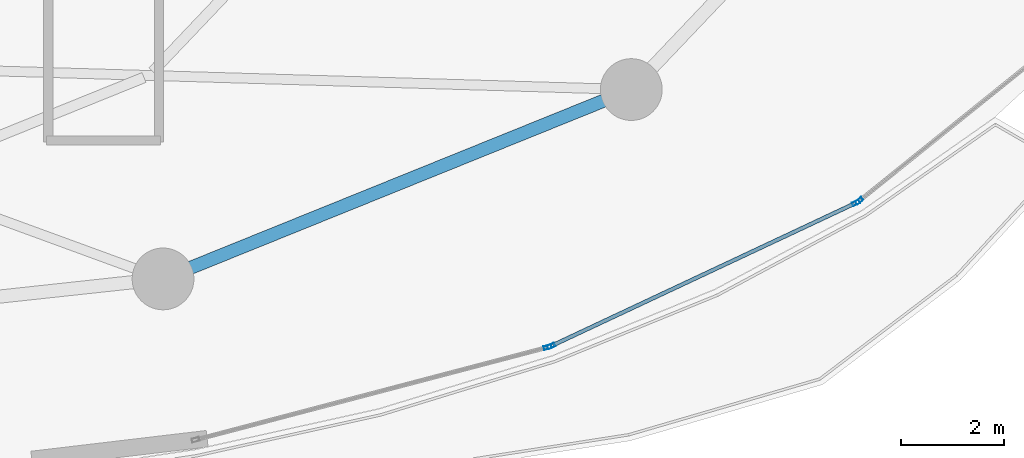
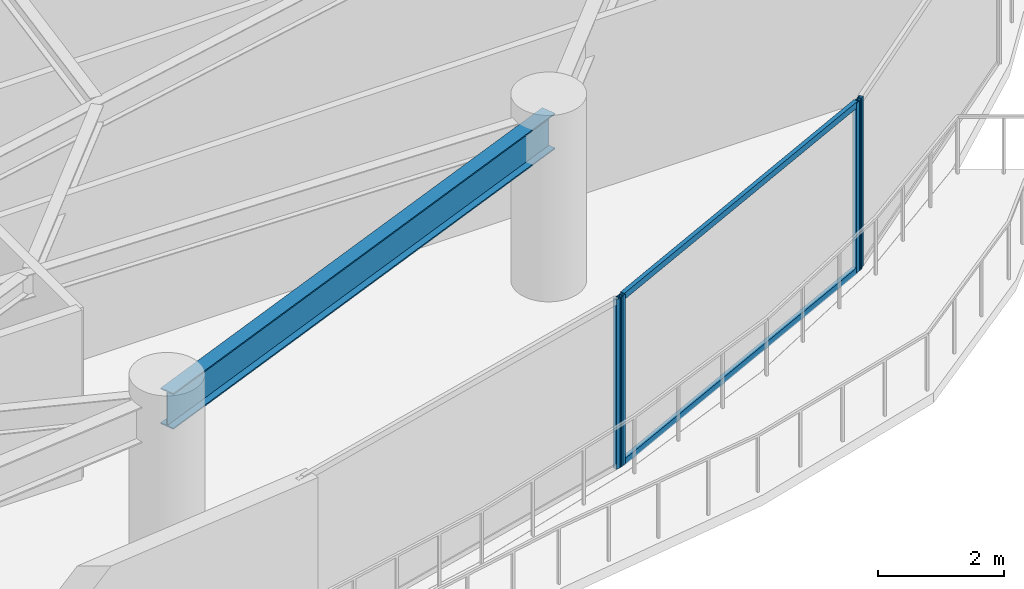
# One storey, part 14 of 33: 6 members, 1 beam, 3 elements without a shape of their own.
"""IFC4 building model written with IfcOpenShell, lengths in metres."""

import ifcopenshell
import ifcopenshell.guid

model = None  # the IFC model being written
_history = None  # IfcOwnerHistory: only IFC2X3 demands one
_inside = {}  # id of a spatial element -> (the spatial element, [elements in it])
_under = {}  # id of a project, library or spatial element -> (it, [spatial elements below it])
_declared = {}  # id of a project -> (the project, [libraries it declares])
_typed = {}  # id of a type object -> (the type object, [elements of that type])
_made_of = {}  # id of a material, layer set ... -> (it, [elements and type objects made of it])


def new_model(schema):
    """Start an empty IFC model of exactly this schema.

    Asked for "IFC4X3", IfcOpenShell would pick the latest addendum, in which some entities
    have other attributes; the version numbers below select the first issue.
    IFC2X3 requires an IfcOwnerHistory on every rooted entity: one is made here for all.
    """
    global model, _history
    if schema == "IFC4X3":
        model = ifcopenshell.file(schema_version=(4, 3, 0, 0))
    else:
        model = ifcopenshell.file(schema=schema)
    _inside.clear()
    _under.clear()
    _declared.clear()
    _typed.clear()
    _made_of.clear()
    _history = None
    if model.schema == "IFC2X3":
        org = make("IfcOrganization", Name="unknown")
        user = make(
            "IfcPersonAndOrganization",
            ThePerson=make("IfcPerson", FamilyName="unknown"),
            TheOrganization=org,
        )
        app = make(
            "IfcApplication",
            ApplicationDeveloper=org,
            Version="unknown",
            ApplicationFullName="unknown",
            ApplicationIdentifier="unknown",
        )
        _history = make(
            "IfcOwnerHistory",
            OwningUser=user,
            OwningApplication=app,
            ChangeAction="ADDED",
            CreationDate=0,
        )
    return model


def make(cls, **values):
    """One entity of the class cls with the attributes given. An attribute that is None is left unset."""
    return model.create_entity(
        cls, **{name: value for name, value in values.items() if value is not None}
    )


def rooted(cls, **values):
    """An entity with a GlobalId (a new one), such as an element, a storey or a relation."""
    return make(cls, GlobalId=ifcopenshell.guid.new(), OwnerHistory=_history, **values)


def si_unit(unit_type, name, prefix=None):
    """IfcSIUnit, for example si_unit("LENGTHUNIT", "METRE", prefix="MILLI")."""
    return make("IfcSIUnit", UnitType=unit_type, Prefix=prefix, Name=name)


def assignment(units):
    """IfcUnitAssignment: the units of a project."""
    return None if units is None else make("IfcUnitAssignment", Units=units)


def point(xyz):
    """IfcCartesianPoint."""
    return None if xyz is None else make("IfcCartesianPoint", Coordinates=xyz)


def direction(xyz):
    """IfcDirection."""
    return None if xyz is None else make("IfcDirection", DirectionRatios=xyz)


def frame(location, z_axis=None, x_axis=None):
    """IfcAxis2Placement3D, a coordinate frame: its origin and axes. An axis left out is left unset."""
    return make(
        "IfcAxis2Placement3D",
        Location=point(location),
        Axis=direction(z_axis),
        RefDirection=direction(x_axis),
    )


def frame_2d(location, x_axis=None):
    """IfcAxis2Placement2D, a coordinate frame in the plane: its origin and x axis."""
    return make(
        "IfcAxis2Placement2D", Location=point(location), RefDirection=direction(x_axis)
    )


def origin():
    """The frame at (0, 0, 0) with its axes left unset."""
    return frame((0.0, 0.0, 0.0))


def origin_2d():
    """The frame at (0, 0) in the plane with its x axis left unset."""
    return frame_2d((0.0, 0.0))


def place(relative_to, where):
    """IfcLocalPlacement: puts the frame where relative to a parent placement (None: the world)."""
    return make(
        "IfcLocalPlacement", PlacementRelTo=relative_to, RelativePlacement=where
    )


def context(
    kind, dimensions, precision=None, world=None, true_north=None, identifier=None
):
    """IfcGeometricRepresentationContext, for example the 3D "Model" context."""
    return make(
        "IfcGeometricRepresentationContext",
        ContextIdentifier=identifier,
        ContextType=kind,
        CoordinateSpaceDimension=dimensions,
        Precision=precision,
        WorldCoordinateSystem=world,
        TrueNorth=true_north,
    )


def subcontext(parent, identifier, kind, view, scale=None):
    """IfcGeometricRepresentationSubContext, for example "Body" below "Model"."""
    return make(
        "IfcGeometricRepresentationSubContext",
        ContextIdentifier=identifier,
        ContextType=kind,
        ParentContext=parent,
        TargetScale=scale,
        TargetView=view,
    )


def project(units=None, contexts=None):
    """IfcProject with its units and contexts."""
    return rooted(
        "IfcProject",
        Name="project",
        RepresentationContexts=contexts,
        UnitsInContext=assignment(units),
    )


def spatial(cls, under=None, at=None, **own):
    """A site, building, storey or space (cls), placed at a placement, below another one or the project."""
    s = rooted(cls, ObjectPlacement=at, **own)
    if under is not None:
        _under.setdefault(under.id(), (under, []))[1].append(s)
    return s


def profile(cls, at=None, kind="AREA", **sizes):
    """A parametric profile (cls). Its sizes go by their IFC names, for example OverallWidth=200.0."""
    return make(cls, ProfileType=kind, Position=at, **sizes)


def hollow_rectangle(**sizes):
    """IfcRectangleHollowProfileDef."""
    return profile("IfcRectangleHollowProfileDef", **sizes)


def i_section(**sizes):
    """IfcIShapeProfileDef."""
    return profile("IfcIShapeProfileDef", **sizes)


def extrude(swept, where, along, depth):
    """IfcExtrudedAreaSolid: the profile swept, set in the frame where, extruded along a direction by depth."""
    return make(
        "IfcExtrudedAreaSolid",
        SweptArea=swept,
        Position=where,
        ExtrudedDirection=direction(along),
        Depth=depth,
    )


def shape(context_of_items, identifier, shape_type, items):
    """IfcShapeRepresentation: the items that make up one representation, for example the "Body"."""
    return make(
        "IfcShapeRepresentation",
        ContextOfItems=context_of_items,
        RepresentationIdentifier=identifier,
        RepresentationType=shape_type,
        Items=items,
    )


def material(Name=None, Category=None):
    """IfcMaterial."""
    return make("IfcMaterial", Name=Name, Category=Category)


def layer(
    of_material, thickness, ventilated=None, Name=None, Category=None, Priority=None
):
    """IfcMaterialLayer: one layer of a wall or slab, of a material (None: an air gap)."""
    return make(
        "IfcMaterialLayer",
        Material=of_material,
        LayerThickness=thickness,
        IsVentilated=ventilated,
        Name=Name,
        Category=Category,
        Priority=Priority,
    )


def layer_set(layers, Name=None):
    """IfcMaterialLayerSet."""
    return make("IfcMaterialLayerSet", MaterialLayers=layers, LayerSetName=Name)


def material_profile(
    of_material, cross_section, Name=None, Category=None, Priority=None
):
    """IfcMaterialProfile: a cross section and its material."""
    return make(
        "IfcMaterialProfile",
        Name=Name,
        Material=of_material,
        Profile=cross_section,
        Priority=Priority,
        Category=Category,
    )


def profile_set(profiles, Name=None, composite=None):
    """IfcMaterialProfileSet."""
    return make(
        "IfcMaterialProfileSet",
        Name=Name,
        MaterialProfiles=profiles,
        CompositeProfile=composite,
    )


def made_of(thing, what):
    """Note that an element or type object is made of a material, layer set ...; save() writes the relation."""
    if what is not None:
        _made_of.setdefault(what.id(), (what, []))[1].append(thing)
    return thing


def type_object(cls, material=None, **own):
    """A type object (cls), such as IfcWallType, which elements share."""
    return made_of(rooted(cls, **own), material)


def element(
    cls,
    number,
    at=None,
    inside=None,
    cuts=None,
    type_object=None,
    material=None,
    context=None,
    identifier="Body",
    shape_type=None,
    held_by="IfcProductDefinitionShape",
    body=None,
    shapes=None,
    **own,
):
    """One element of the class cls, such as IfcWall. Its Tag is "e" and its number.

    at: its placement. inside: the storey or other place that contains it. cuts: it is an
    opening in that element (IfcRelVoidsElement). A single representation is given by context,
    identifier, shape_type and body (its items); several are given by shapes. held_by: the class
    of the entity that holds the representations. save() writes the other relations.
    """
    e = rooted(cls, Tag="e%d" % number, ObjectPlacement=at, **own)
    if body is not None:
        shapes = [shape(context, identifier, shape_type, body)]
    if shapes is not None:
        e.Representation = make(held_by, Representations=shapes)
    if inside is not None:
        _inside.setdefault(inside.id(), (inside, []))[1].append(e)
    if cuts is not None:
        rooted(
            "IfcRelVoidsElement", RelatingBuildingElement=cuts, RelatedOpeningElement=e
        )
    if type_object is not None:
        _typed.setdefault(type_object.id(), (type_object, []))[1].append(e)
    return made_of(e, material)


def aggregate(whole, parts):
    """IfcRelAggregates: a whole, such as a stair, and the parts it consists of."""
    return rooted("IfcRelAggregates", RelatingObject=whole, RelatedObjects=parts)


def save(model, path):
    """Write the relations noted so far, then the file.

    IfcRelAggregates (storeys below a building ...), IfcRelContainedInSpatialStructure (elements
    in a storey), IfcRelDefinesByType, IfcRelAssociatesMaterial and IfcRelDeclares: one each for
    every whole, place, type object, material and project.
    """
    for whole, parts in _under.values():
        aggregate(whole, parts)
    for where, things in _inside.values():
        rooted(
            "IfcRelContainedInSpatialStructure",
            RelatedElements=things,
            RelatingStructure=where,
        )
    for kind, things in _typed.values():
        rooted("IfcRelDefinesByType", RelatedObjects=things, RelatingType=kind)
    for what, things in _made_of.values():
        rooted("IfcRelAssociatesMaterial", RelatedObjects=things, RelatingMaterial=what)
    for by, libraries in _declared.values():
        rooted("IfcRelDeclares", RelatingContext=by, RelatedDefinitions=libraries)
    model.write(path)


model = new_model("IFC4")

# Units and contexts
model_context = context("Model", 3, precision=1e-05, world=origin(), true_north=direction((0.0, 1.0)))
body_context = subcontext(model_context, "Body", "Model", "MODEL_VIEW")
ifc_project = project(units=[si_unit("LENGTHUNIT", "METRE"), si_unit("AREAUNIT", "SQUARE_METRE"), si_unit("VOLUMEUNIT", "CUBIC_METRE"), si_unit("PLANEANGLEUNIT", "RADIAN"), si_unit("MASSUNIT", "GRAM", prefix="KILO")], contexts=[model_context])

# Site, building, storey
site_placement = place(None, origin())
site = spatial("IfcSite", under=ifc_project, at=site_placement, CompositionType="ELEMENT")
building_placement = place(site_placement, origin())
building = spatial("IfcBuilding", under=site, at=building_placement, Name="Kazevale Care Tower and Concert Hall", CompositionType="ELEMENT")
storey_placement = place(building_placement, frame((0.0, 0.0, 178.199951171875)))
storey = spatial("IfcBuildingStorey", under=building, at=storey_placement, Name="L47", CompositionType="ELEMENT", Elevation=178.199951171875)

# Curtain wall, member
ifc_material_1 = material(Name="Aluminium 6063-T6 and Low-E Glass", Category="aluminium")
ifc_layer = layer(ifc_material_1, 0.179931640625)
ifc_layer_set = layer_set([ifc_layer], Name="Aluminium 6063-T6 and Low-E Glass")
curtain_wall_type = type_object("IfcCurtainWallType", Name="Sheltered Concave Balcony Curtain Wall CW-5", PredefinedType="NOTDEFINED", material=ifc_layer_set)
curtain_wall_1_placement = place(storey_placement, origin())
curtain_wall_1 = element("IfcCurtainWall", 1, at=curtain_wall_1_placement, inside=storey, type_object=curtain_wall_type, Name="cw:L47:f02", PredefinedType="NOTDEFINED")
ifc_material_2 = material(Name="Aluminium 6063-T6", Category="aluminium")
ifc_material_profile_1 = material_profile(ifc_material_2, hollow_rectangle(XDim=0.074951171875, YDim=0.14990234375, WallThickness=0.00390625, at=origin_2d()), Name="ALU75x150x4")
ifc_profile_set_1 = profile_set([ifc_material_profile_1], Name="Aluminium 6063-T6")
member_type_1 = type_object("IfcMemberType", Name="CW-5 Mullion ALU75x150x4", PredefinedType="MULLION", material=ifc_profile_set_1)
member_1_placement = place(storey_placement, frame((69.25927734375, 20.826416015625, 0.0), z_axis=(0.0, 0.0, 1.0), x_axis=(0.626905357502, -0.779095419531, 0.0)))
member_1 = element("IfcMember", 2, at=member_1_placement, type_object=member_type_1, Name="CW-5 mullion 2", PredefinedType="MULLION", context=body_context, shape_type="SweptSolid", body=[
    extrude(hollow_rectangle(XDim=0.074951171875, YDim=0.14990234375, WallThickness=0.00390625, at=origin_2d()), origin(), (0.0, 0.0, 1.0), 3.280029296875),
])
aggregate(curtain_wall_1, [member_1])

# Curtain wall, members
curtain_wall_2_placement = place(storey_placement, origin())
curtain_wall_2 = element("IfcCurtainWall", 3, at=curtain_wall_2_placement, inside=storey, type_object=curtain_wall_type, Name="cw:L47:f03", PredefinedType="NOTDEFINED")
member_2_placement = place(storey_placement, frame((69.196044921875, 20.787109375, 0.0), z_axis=(0.0, 0.0, 1.0), x_axis=(0.425010766963, -0.905188294205, 0.0)))
member_2 = element("IfcMember", 4, at=member_2_placement, type_object=member_type_1, Name="CW-5 mullion 1", PredefinedType="MULLION", context=body_context, shape_type="SweptSolid", body=[
    extrude(hollow_rectangle(XDim=0.074951171875, YDim=0.14990234375, WallThickness=0.00390625, at=origin_2d()), origin(), (0.0, 0.0, 1.0), 3.280029296875),
])
member_3_placement = place(storey_placement, frame((63.27490234375, 18.0068359375, 0.0), z_axis=(0.0, 0.0, 1.0), x_axis=(0.425010766963, -0.905188294205, 0.0)))
member_3 = element("IfcMember", 5, at=member_3_placement, type_object=member_type_1, Name="CW-5 mullion 2", PredefinedType="MULLION", context=body_context, shape_type="SweptSolid", body=[
    extrude(hollow_rectangle(XDim=0.074951171875, YDim=0.14990234375, WallThickness=0.00390625, at=origin_2d()), origin(), (0.0, 0.0, 1.0), 3.280029296875),
])

# Curtain wall, member
curtain_wall_3_placement = place(storey_placement, origin())
curtain_wall_3 = element("IfcCurtainWall", 6, at=curtain_wall_3_placement, inside=storey, type_object=curtain_wall_type, Name="cw:L47:f04", PredefinedType="NOTDEFINED")
member_4_placement = place(storey_placement, frame((63.204833984375, 17.9814453125, 0.0), z_axis=(0.0, 0.0, 1.0), x_axis=(0.254238458229, -0.967141564797, 0.0)))
member_4 = element("IfcMember", 7, at=member_4_placement, type_object=member_type_1, Name="CW-5 mullion 1", PredefinedType="MULLION", context=body_context, shape_type="SweptSolid", body=[
    extrude(hollow_rectangle(XDim=0.074951171875, YDim=0.14990234375, WallThickness=0.00390625, at=origin_2d()), origin(), (0.0, 0.0, 1.0), 3.280029296875),
])
aggregate(curtain_wall_3, [member_4])

# Member
ifc_material_profile_2 = material_profile(ifc_material_2, hollow_rectangle(XDim=0.074951171875, YDim=0.1201171875, WallThickness=0.00390625, at=origin_2d()), Name="ALU75x120x4")
ifc_profile_set_2 = profile_set([ifc_material_profile_2], Name="Aluminium 6063-T6")
member_type_2 = type_object("IfcMemberType", Name="CW-5 Transom ALU75x120x4", PredefinedType="USERDEFINED", material=ifc_profile_set_2)
member_5_placement = place(storey_placement, frame((69.162109375, 20.771240234375, 0.03759765625), z_axis=(-0.90518714704, -0.425013210187, 0.0), x_axis=(0.425013210187, -0.90518714704, 0.0)))
member_5 = element("IfcMember", 8, at=member_5_placement, type_object=member_type_2, Name="CW-5 transom 1.1", ObjectType="TRANSOM", PredefinedType="USERDEFINED", context=body_context, shape_type="SweptSolid", body=[
    extrude(hollow_rectangle(XDim=0.074951171875, YDim=0.1201171875, WallThickness=0.00390625, at=origin_2d()), origin(), (0.0, 0.0, 1.0), 6.46630859375),
])

member_6_placement = place(storey_placement, frame((69.162109375, 20.771240234375, 3.242431640625), z_axis=(-0.90518714704, -0.425013210187, 0.0), x_axis=(0.425013210187, -0.90518714704, 0.0)))
member_6 = element("IfcMember", 9, at=member_6_placement, type_object=member_type_2, Name="CW-5 transom 1.2", ObjectType="TRANSOM", PredefinedType="USERDEFINED", context=body_context, shape_type="SweptSolid", body=[
    extrude(hollow_rectangle(XDim=0.074951171875, YDim=0.1201171875, WallThickness=0.00390625, at=origin_2d()), origin(), (0.0, 0.0, 1.0), 6.46630859375),
])

aggregate(curtain_wall_2, [member_2, member_3, member_5, member_6])

# Beam
ifc_material_3 = material(Name="Steel ASTM A572 Gr 50", Category="steel")
ifc_material_profile_3 = material_profile(ifc_material_3, i_section(OverallWidth=0.256103515625, OverallDepth=0.693115234375, WebThickness=0.014404296875, FlangeThickness=0.023681640625, at=origin_2d()), Name="W690x170")
ifc_profile_set_3 = profile_set([ifc_material_profile_3], Name="Steel ASTM A572 Gr 50")
beam_type = type_object("IfcBeamType", Name="Waist Ring Beam W690x170", PredefinedType="BEAM", material=ifc_profile_set_3)
beam_placement = place(storey_placement, frame((55.72998046875, 19.31005859375, 2.93359375), z_axis=(0.927068687828, 0.374891515041, 0.0), x_axis=(-0.374891515041, 0.927068687828, 0.0)))
element("IfcBeam", 10, at=beam_placement, inside=storey, type_object=beam_type, Name="beam:L47:ring:14", PredefinedType="BEAM", context=body_context, shape_type="SweptSolid", body=[
    extrude(i_section(OverallWidth=0.256103515625, OverallDepth=0.693115234375, WebThickness=0.014404296875, FlangeThickness=0.023681640625, at=origin_2d()), origin(), (0.0, 0.0, 1.0), 9.81591796875),
])

save(model, "model.ifc")
